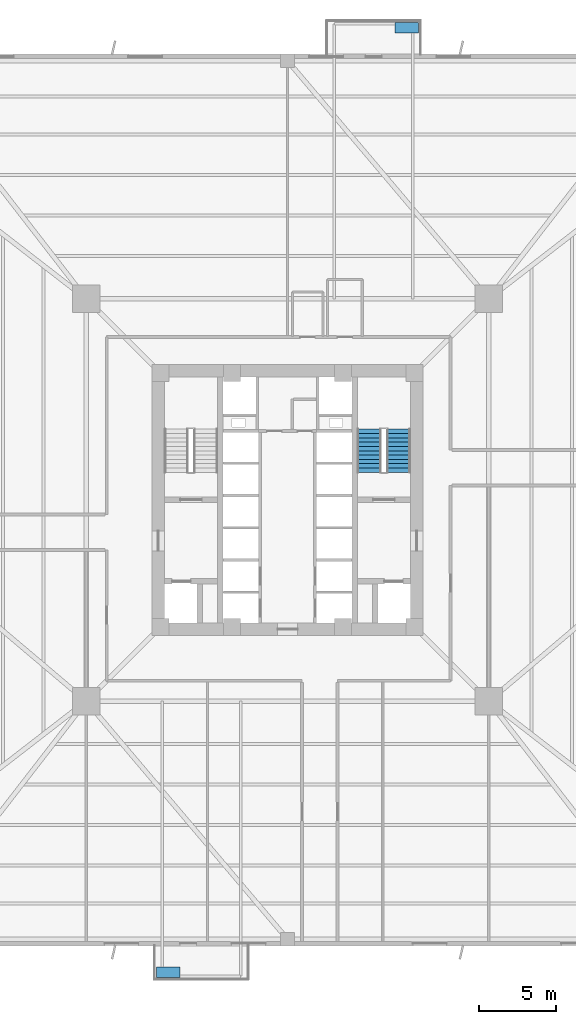
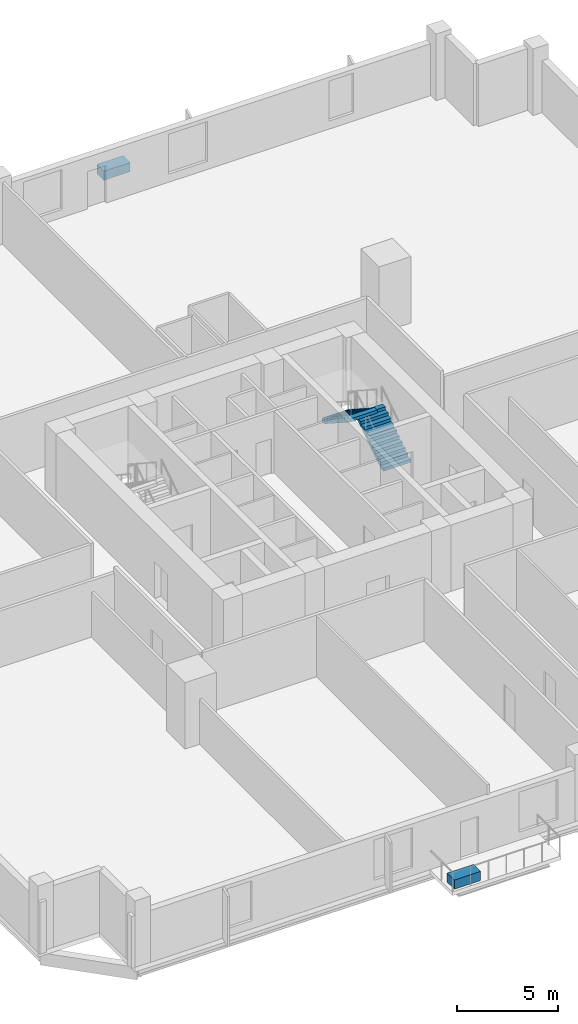
# One storey, part 5 of 8: 2 discrete accessories, 2 stair flights, 1 element without a shape of its own.
"""IFC4 building model written with IfcOpenShell, lengths in metres."""

from ifc_helpers import new_model, si_unit, direction, frame, origin, origin_2d, place, context, subcontext, project, spatial, polyline, rectangle, outline, extrude, source, transform, mapped, material, type_object, element, aggregate, save


model = new_model("IFC4")

# Units and contexts
model_context = context("Model", 3, precision=1e-05, world=origin(), true_north=direction((0.0, 1.0)))
body_context = subcontext(model_context, "Body", "Model", "MODEL_VIEW")
ifc_project = project(units=[si_unit("LENGTHUNIT", "METRE"), si_unit("AREAUNIT", "SQUARE_METRE"), si_unit("VOLUMEUNIT", "CUBIC_METRE"), si_unit("PLANEANGLEUNIT", "RADIAN"), si_unit("MASSUNIT", "GRAM", prefix="KILO"), si_unit("THERMODYNAMICTEMPERATUREUNIT", "KELVIN")], contexts=[model_context])

# Site, building, storey
site_placement = place(None, origin())
site = spatial("IfcSite", under=ifc_project, at=site_placement, CompositionType="ELEMENT")
building_placement = place(site_placement, origin())
building = spatial("IfcBuilding", under=site, at=building_placement, Name="Kosmvard Interchange Tower", CompositionType="ELEMENT")
storey_placement = place(building_placement, frame((0.0, 0.0, 54.0)))
storey = spatial("IfcBuildingStorey", under=building, at=storey_placement, Name="L12", CompositionType="ELEMENT", Elevation=54.0)

# Stair, stair flights
ifc_material_1 = material(Name="Concrete C50/60", Category="concrete")
stair_type = type_object("IfcStairType", Name="Dog-Leg Core Exit Stair H4000 C50/60", PredefinedType="HALF_TURN_STAIR", material=ifc_material_1)
stair_placement = place(storey_placement, origin())
stair = element("IfcStair", 1, at=stair_placement, inside=storey, type_object=stair_type, Name="L12 Protected Exit Stair ST-2", PredefinedType="HALF_TURN_STAIR")
stair_flight_type = type_object("IfcStairFlightType", Name="Core Stair Flight W1550 H4000 C50/60", PredefinedType="STRAIGHT", material=ifc_material_1)
shared_shape_1 = source(origin(), body_context, "Body", "SweptSolid", [
    extrude(outline(polyline([(0.0, 0.0), (0.0, 0.181884765625), (0.280029296875, 0.181884765625), (0.280029296875, 0.363525390625), (0.56005859375, 0.363525390625), (0.56005859375, 0.54541015625), (0.840087890625, 0.54541015625), (0.840087890625, 0.727294921875), (1.1201171875, 0.727294921875), (1.1201171875, 0.9091796875), (1.39990234375, 0.9091796875), (1.39990234375, 1.0908203125), (1.679931640625, 1.0908203125), (1.679931640625, 1.272705078125), (1.9599609375, 1.272705078125), (1.9599609375, 1.45458984375), (2.239990234375, 1.45458984375), (2.239990234375, 1.636474609375), (2.52001953125, 1.636474609375), (2.52001953125, 1.818115234375), (2.800048828125, 1.818115234375), (2.800048828125, 2.0), (2.800048828125, 1.62744140625), (0.293701171875, 0.0), (0.0, 0.0)])), frame((0.0, 0.77490234375, 0.0), z_axis=(0.0, -1.0, 0.0), x_axis=(1.0, 0.0, 0.0)), (0.0, 0.0, 1.0), 1.550048828125),
])
stair_flight_1_placement = place(storey_placement, frame((7.22509765625, 1.800048828125, 0.0), z_axis=(0.0, 0.0, 1.0), x_axis=(0.0, 1.0, 0.0)))
stair_flight_1 = element("IfcStairFlight", 2, at=stair_flight_1_placement, type_object=stair_flight_type, Name="ST-2 flight 1", NumberOfRisers=11, NumberOfTreads=10, PredefinedType="STRAIGHT", RiserHeight=0.181818182, TreadLength=0.28, context=body_context, shape_type="MappedRepresentation", body=[
    mapped(shared_shape_1, transform((0.0, 0.0, 0.0), scale=1.0)),
])
stair_flight_2_placement = place(storey_placement, frame((5.31494140625, 4.60009765625, 2.0), z_axis=(0.0, 0.0, 1.0), x_axis=(0.0, -1.0, 0.0)))
stair_flight_2 = element("IfcStairFlight", 3, at=stair_flight_2_placement, type_object=stair_flight_type, Name="ST-2 flight 2", NumberOfRisers=11, NumberOfTreads=10, PredefinedType="STRAIGHT", RiserHeight=0.181818182, TreadLength=0.28, context=body_context, shape_type="MappedRepresentation", body=[
    mapped(shared_shape_1, transform((0.0, 0.0, 0.0), scale=1.0)),
])
aggregate(stair, [stair_flight_1, stair_flight_2])

# Discrete accessories
ifc_material_2 = material(Name="Terracotta precast planter concrete C45/55", Category="masonry")
discrete_accessory_type = type_object("IfcDiscreteAccessoryType", Name="Precast Tree-Balcony & Terrace Planter Box", PredefinedType="USERDEFINED", material=ifc_material_2)
shared_shape_2 = source(origin(), body_context, "Body", "SweptSolid", [
    extrude(rectangle(XDim=1.5, YDim=0.699951171875, at=origin_2d()), origin(), (0.0, 0.0, 1.0), 0.550048828125),
])
for number, where, z_axis, x_axis, name in (
    (4, (-7.75, -30.699951171875, 0.0), (0.0, 0.0, 1.0), (1.0, 0.0, 0.0), "L12 Balcony Tree Planter BAL-L12-S"),
    (5, (7.75, 30.699951171875, 0.0), (0.0, 0.0, 1.0), (1.0, 0.0, 0.0), "L12 Balcony Tree Planter BAL-L12-N"),
):
    element("IfcDiscreteAccessory", number, at=place(storey_placement, frame(where, z_axis=z_axis, x_axis=x_axis)), inside=storey, type_object=discrete_accessory_type, Name=name, ObjectType="PLANTER", PredefinedType="USERDEFINED", context=body_context, shape_type="MappedRepresentation", body=[
        mapped(shared_shape_2, transform((0.0, 0.0, 0.0), scale=1.0)),
    ])

save(model, "model.ifc")
